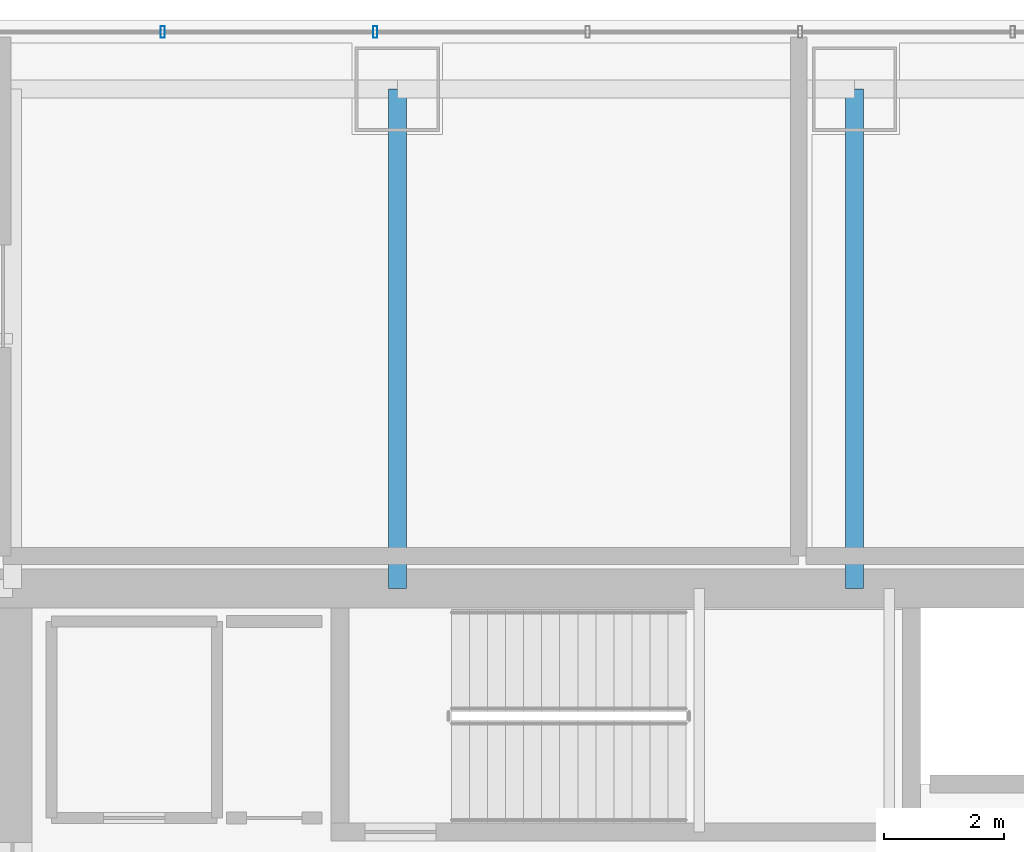
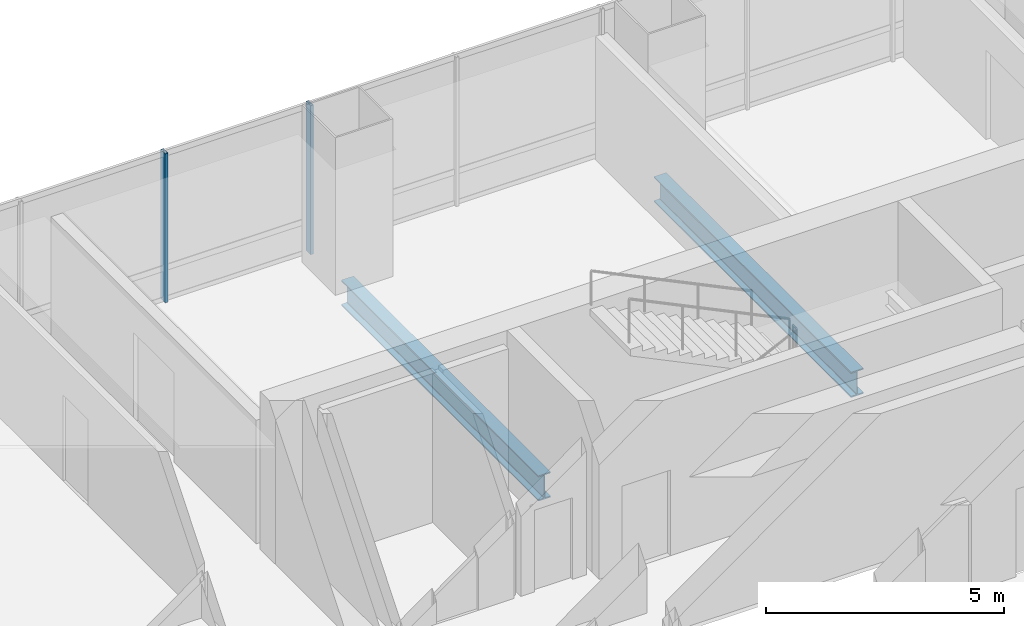
# One storey, part 22 of 36: 2 beams, 2 members, 1 element without a shape of its own.
"""IFC4 building model written with IfcOpenShell, lengths in metres."""

from ifc_helpers import new_model, si_unit, direction, frame, origin, origin_2d, place, context, subcontext, project, spatial, hollow_rectangle, i_section, extrude, material, material_profile, profile_set, type_object, element, aggregate, save


model = new_model("IFC4")

# Units and contexts
model_context = context("Model", 3, precision=1e-05, world=origin(), true_north=direction((0.0, 1.0)))
body_context = subcontext(model_context, "Body", "Model", "MODEL_VIEW")
ifc_project = project(units=[si_unit("LENGTHUNIT", "METRE"), si_unit("AREAUNIT", "SQUARE_METRE"), si_unit("VOLUMEUNIT", "CUBIC_METRE"), si_unit("PLANEANGLEUNIT", "RADIAN"), si_unit("MASSUNIT", "GRAM", prefix="KILO")], contexts=[model_context])

# Site, building, storey
site_placement = place(None, origin())
site = spatial("IfcSite", under=ifc_project, at=site_placement, CompositionType="ELEMENT")
building_placement = place(site_placement, origin())
building = spatial("IfcBuilding", under=site, at=building_placement, Name="Punatoya Terracotta Tower", CompositionType="ELEMENT")
storey_placement = place(building_placement, frame((0.0, 0.0, 196.5)))
storey = spatial("IfcBuildingStorey", under=building, at=storey_placement, Name="L46", CompositionType="ELEMENT", Elevation=196.5)

# Beams
ifc_material_1 = material(Name="Steel S355", Category="steel")
ifc_material_profile_1 = material_profile(ifc_material_1, i_section(OverallWidth=0.300048828125, OverallDepth=0.64990234375, WebThickness=0.01611328125, FlangeThickness=0.031005859375, FilletRadius=0.01806640625, at=origin_2d()))
ifc_profile_set_1 = profile_set([ifc_material_profile_1], Name="Steel S355")
beam_type = type_object("IfcBeamType", Name="BM-PRI-650", PredefinedType="BEAM", material=ifc_profile_set_1)
for number, where, z_axis, x_axis, name in (
    (1, (-3.800048828125, 9.199951171875, -0.544921875), (0.0, 1.0, 0.0), (-1.0, 0.0, 0.0), "BM-L46-PR-N2"),
    (2, (3.800048828125, 9.199951171875, -0.544921875), (0.0, 1.0, 0.0), (-1.0, 0.0, 0.0), "BM-L46-PR-N3"),
):
    element("IfcBeam", number, at=place(storey_placement, frame(where, z_axis=z_axis, x_axis=x_axis)), inside=storey, type_object=beam_type, Name=name, PredefinedType="BEAM", context=body_context, shape_type="SweptSolid", body=[
        extrude(i_section(OverallWidth=0.300048828125, OverallDepth=0.64990234375, WebThickness=0.01611328125, FlangeThickness=0.031005859375, FilletRadius=0.01806640625, at=origin_2d()), origin(), (0.0, 0.0, 1.0), 8.300048828125),
    ])

# Curtain wall, members
ifc_material_2 = material(Name="Aluminium 6063-T6 + Double Low-E Glass", Category="aluminium")
curtain_wall_type = type_object("IfcCurtainWallType", Name="CW-M2", PredefinedType="NOTDEFINED", material=ifc_material_2)
curtain_wall_placement = place(storey_placement, origin())
curtain_wall = element("IfcCurtainWall", 3, at=curtain_wall_placement, inside=storey, type_object=curtain_wall_type, Name="L46 Curtain Wall CW-L46-N09-1", PredefinedType="NOTDEFINED")
ifc_material_3 = material(Name="Aluminium 6063-T6", Category="aluminium")
ifc_material_profile_2 = material_profile(ifc_material_3, hollow_rectangle(XDim=0.072021484375, YDim=0.195068359375, WallThickness=0.00439453125, at=origin_2d()))
ifc_profile_set_2 = profile_set([ifc_material_profile_2], Name="Aluminium 6063-T6")
member_type = type_object("IfcMemberType", Name="CW-MUL-M2", PredefinedType="MULLION", material=ifc_profile_set_2)
member_1_placement = place(storey_placement, frame((-4.1669921875, 18.449951171875, 0.0), z_axis=(0.0, 0.0, 1.0), x_axis=(1.0, 0.0, 0.0)))
member_1 = element("IfcMember", 4, at=member_1_placement, type_object=member_type, Name="CW-L46-N09-1 Mullion 06", PredefinedType="MULLION", context=body_context, shape_type="SweptSolid", body=[
    extrude(hollow_rectangle(XDim=0.072021484375, YDim=0.195068359375, WallThickness=0.00439453125, at=origin_2d()), origin(), (0.0, 0.0, 1.0), 3.830078125),
])
member_2_placement = place(storey_placement, frame((-7.700927734375, 18.449951171875, 0.0), z_axis=(0.0, 0.0, 1.0), x_axis=(1.0, 0.0, 0.0)))
member_2 = element("IfcMember", 5, at=member_2_placement, type_object=member_type, Name="CW-L46-N09-1 Mullion 07", PredefinedType="MULLION", context=body_context, shape_type="SweptSolid", body=[
    extrude(hollow_rectangle(XDim=0.072021484375, YDim=0.195068359375, WallThickness=0.00439453125, at=origin_2d()), origin(), (0.0, 0.0, 1.0), 3.830078125),
])
aggregate(curtain_wall, [member_1, member_2])

save(model, "model.ifc")
